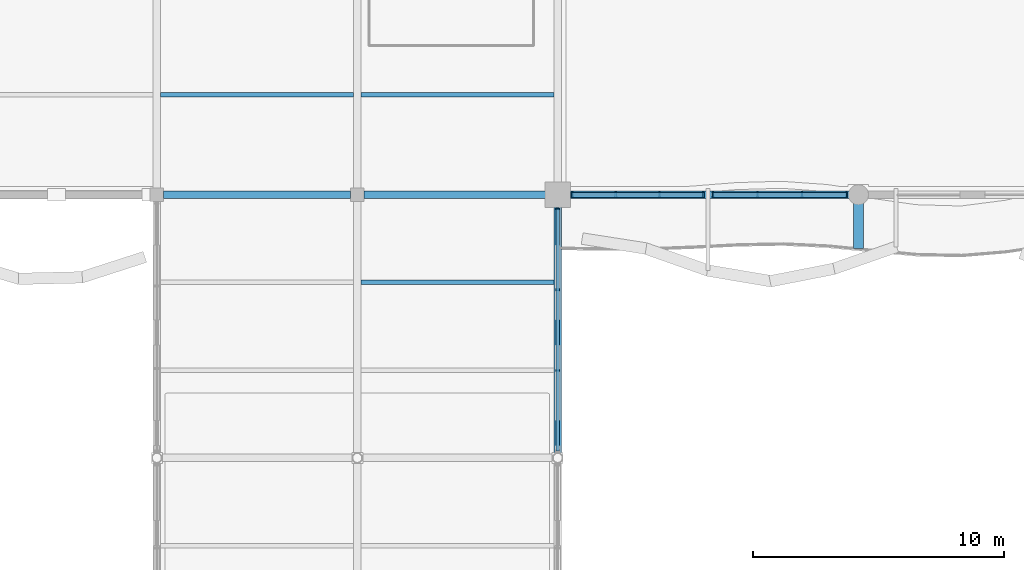
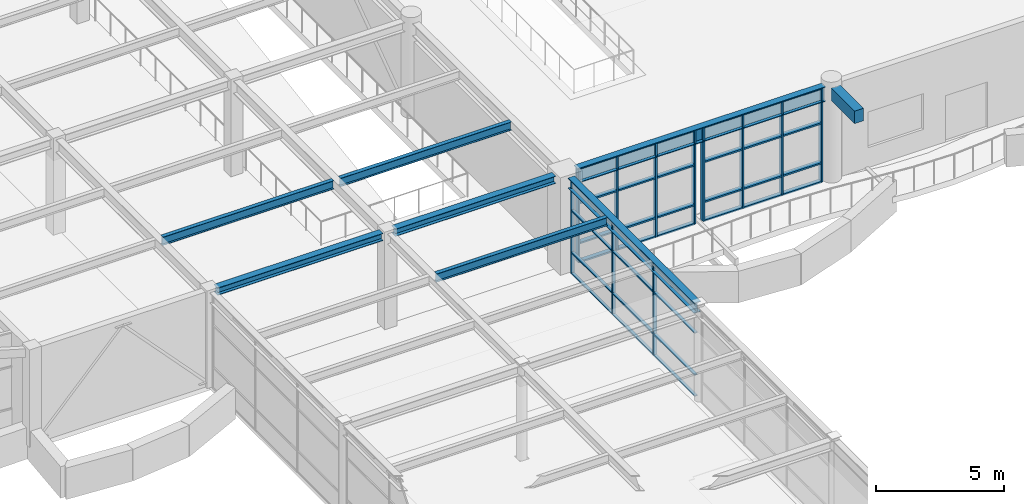
# One storey, part 14 of 72: 23 members, 8 beams, 3 elements without a shape of their own.
"""IFC4 building model written with IfcOpenShell, lengths in metres."""

from ifc_helpers import new_model, si_unit, direction, frame, origin, origin_2d, place, context, subcontext, project, spatial, rectangle, i_section, extrude, material, layer, layer_set, material_profile, profile_set, type_object, element, aggregate, save


model = new_model("IFC4")

# Units and contexts
model_context = context("Model", 3, precision=1e-05, world=origin(), true_north=direction((0.0, 1.0)))
body_context = subcontext(model_context, "Body", "Model", "MODEL_VIEW")
ifc_project = project(units=[si_unit("LENGTHUNIT", "METRE"), si_unit("AREAUNIT", "SQUARE_METRE"), si_unit("VOLUMEUNIT", "CUBIC_METRE"), si_unit("PLANEANGLEUNIT", "RADIAN"), si_unit("MASSUNIT", "GRAM", prefix="KILO")], contexts=[model_context])

# Site, building, storey
site_placement = place(None, origin())
site = spatial("IfcSite", under=ifc_project, at=site_placement, CompositionType="ELEMENT")
building_placement = place(site_placement, origin())
building = spatial("IfcBuilding", under=site, at=building_placement, Name="Keelwater Ferry Terminal", CompositionType="ELEMENT")
storey_placement = place(building_placement, frame((0.0, 0.0, 5.39990234375)))
storey = spatial("IfcBuildingStorey", under=building, at=storey_placement, Name="L01", CompositionType="ELEMENT", Elevation=5.39990234375)

# Curtain wall, members
ifc_material_1 = material(Name="Thermally broken unitised aluminium and triple glass", Category="aluminium")
ifc_layer_1 = layer(ifc_material_1, 0.179931640625)
ifc_layer_set_1 = layer_set([ifc_layer_1], Name="Thermally broken unitised aluminium and triple glass")
curtain_wall_type_1 = type_object("IfcCurtainWallType", Name="CW-01 Unitised Curtain Wall 5230x4450", PredefinedType="USERDEFINED", material=ifc_layer_set_1)
curtain_wall_1_placement = place(storey_placement, origin())
curtain_wall_1 = element("IfcCurtainWall", 1, at=curtain_wall_1_placement, inside=storey, type_object=curtain_wall_type_1, Name="Unitised Curtain Wall CW-L01-001", ObjectType="UNITISED CURTAIN WALL", PredefinedType="USERDEFINED")
ifc_material_2 = material(Name="Aluminium mullion", Category="aluminium")
ifc_material_profile_1 = material_profile(ifc_material_2, rectangle(XDim=0.074951171875, YDim=0.219970703125, at=origin_2d()), Name="CWM-02")
ifc_profile_set_1 = profile_set([ifc_material_profile_1], Name="Aluminium mullion")
member_type_1 = type_object("IfcMemberType", Name="CWM-02 Curtain Mullion 75x220", PredefinedType="MULLION", material=ifc_profile_set_1)
member_1_placement = place(storey_placement, frame((48.574951171875, 42.0, 0.0), z_axis=(0.0, 0.0, 1.0), x_axis=(1.0, 0.0, 0.0)))
member_1 = element("IfcMember", 2, at=member_1_placement, type_object=member_type_1, Name="CW-L01-001 Mullion 1", PredefinedType="MULLION", context=body_context, shape_type="SweptSolid", body=[
    extrude(rectangle(XDim=0.074951171875, YDim=0.219970703125, at=origin_2d()), origin(), (0.0, 0.0, 1.0), 4.4501953125),
])
member_2_placement = place(storey_placement, frame((50.318359375, 42.0, 0.0), z_axis=(0.0, 0.0, 1.0), x_axis=(1.0, 0.0, 0.0)))
member_2 = element("IfcMember", 3, at=member_2_placement, type_object=member_type_1, Name="CW-L01-001 Mullion 2", PredefinedType="MULLION", context=body_context, shape_type="SweptSolid", body=[
    extrude(rectangle(XDim=0.074951171875, YDim=0.219970703125, at=origin_2d()), origin(), (0.0, 0.0, 1.0), 4.4501953125),
])
member_3_placement = place(storey_placement, frame((52.061767578125, 42.0, 0.0), z_axis=(0.0, 0.0, 1.0), x_axis=(1.0, 0.0, 0.0)))
member_3 = element("IfcMember", 4, at=member_3_placement, type_object=member_type_1, Name="CW-L01-001 Mullion 3", PredefinedType="MULLION", context=body_context, shape_type="SweptSolid", body=[
    extrude(rectangle(XDim=0.074951171875, YDim=0.219970703125, at=origin_2d()), origin(), (0.0, 0.0, 1.0), 4.4501953125),
])
member_4_placement = place(storey_placement, frame((53.804931640625, 42.0, 0.0), z_axis=(0.0, 0.0, 1.0), x_axis=(1.0, 0.0, 0.0)))
member_4 = element("IfcMember", 5, at=member_4_placement, type_object=member_type_1, Name="CW-L01-001 Mullion 4", PredefinedType="MULLION", context=body_context, shape_type="SweptSolid", body=[
    extrude(rectangle(XDim=0.074951171875, YDim=0.219970703125, at=origin_2d()), origin(), (0.0, 0.0, 1.0), 4.4501953125),
])

ifc_material_3 = material(Name="Thermally broken unitised aluminium and triple glass", Category="aluminium")
ifc_layer_2 = layer(ifc_material_3, 0.179931640625)
ifc_layer_set_2 = layer_set([ifc_layer_2], Name="Thermally broken unitised aluminium and triple glass")
curtain_wall_type_2 = type_object("IfcCurtainWallType", Name="CW-02 Unitised Curtain Wall 5330x4450", PredefinedType="USERDEFINED", material=ifc_layer_set_2)
curtain_wall_2_placement = place(storey_placement, origin())
curtain_wall_2 = element("IfcCurtainWall", 6, at=curtain_wall_2_placement, inside=storey, type_object=curtain_wall_type_2, Name="Unitised Curtain Wall CW-L01-002", ObjectType="UNITISED CURTAIN WALL", PredefinedType="USERDEFINED")
member_5_placement = place(storey_placement, frame((54.195068359375, 42.0, 0.0), z_axis=(0.0, 0.0, 1.0), x_axis=(1.0, 0.0, 0.0)))
member_5 = element("IfcMember", 7, at=member_5_placement, type_object=member_type_1, Name="CW-L01-002 Mullion 1", PredefinedType="MULLION", context=body_context, shape_type="SweptSolid", body=[
    extrude(rectangle(XDim=0.074951171875, YDim=0.219970703125, at=origin_2d()), origin(), (0.0, 0.0, 1.0), 4.4501953125),
])
member_6_placement = place(storey_placement, frame((55.9716796875, 42.0, 0.0), z_axis=(0.0, 0.0, 1.0), x_axis=(1.0, 0.0, 0.0)))
member_6 = element("IfcMember", 8, at=member_6_placement, type_object=member_type_1, Name="CW-L01-002 Mullion 2", PredefinedType="MULLION", context=body_context, shape_type="SweptSolid", body=[
    extrude(rectangle(XDim=0.074951171875, YDim=0.219970703125, at=origin_2d()), origin(), (0.0, 0.0, 1.0), 4.4501953125),
])
member_7_placement = place(storey_placement, frame((57.748291015625, 42.0, 0.0), z_axis=(0.0, 0.0, 1.0), x_axis=(1.0, 0.0, 0.0)))
member_7 = element("IfcMember", 9, at=member_7_placement, type_object=member_type_1, Name="CW-L01-002 Mullion 3", PredefinedType="MULLION", context=body_context, shape_type="SweptSolid", body=[
    extrude(rectangle(XDim=0.074951171875, YDim=0.219970703125, at=origin_2d()), origin(), (0.0, 0.0, 1.0), 4.4501953125),
])
member_8_placement = place(storey_placement, frame((59.52490234375, 42.0, 0.0), z_axis=(0.0, 0.0, 1.0), x_axis=(1.0, 0.0, 0.0)))
member_8 = element("IfcMember", 10, at=member_8_placement, type_object=member_type_1, Name="CW-L01-002 Mullion 4", PredefinedType="MULLION", context=body_context, shape_type="SweptSolid", body=[
    extrude(rectangle(XDim=0.074951171875, YDim=0.219970703125, at=origin_2d()), origin(), (0.0, 0.0, 1.0), 4.4501953125),
])

ifc_material_4 = material(Name="Thermally broken unitised aluminium and triple glass", Category="aluminium")
ifc_layer_3 = layer(ifc_material_4, 0.179931640625)
ifc_layer_set_3 = layer_set([ifc_layer_3], Name="Thermally broken unitised aluminium and triple glass")
curtain_wall_type_3 = type_object("IfcCurtainWallType", Name="CW-13 Unitised Curtain Wall 9647x4400", PredefinedType="USERDEFINED", material=ifc_layer_set_3)
curtain_wall_3_placement = place(storey_placement, origin())
curtain_wall_3 = element("IfcCurtainWall", 11, at=curtain_wall_3_placement, inside=storey, type_object=curtain_wall_type_3, Name="Unitised Curtain Wall CW-L01-058", ObjectType="UNITISED CURTAIN WALL", PredefinedType="USERDEFINED")
ifc_material_5 = material(Name="Aluminium mullion", Category="aluminium")
ifc_material_profile_2 = material_profile(ifc_material_5, rectangle(XDim=0.06005859375, YDim=0.14990234375, at=origin_2d()), Name="CWM-03")
ifc_profile_set_2 = profile_set([ifc_material_profile_2], Name="Aluminium mullion")
member_type_2 = type_object("IfcMemberType", Name="CWM-03 Curtain Mullion 60x150", PredefinedType="MULLION", material=ifc_profile_set_2)
member_9_placement = place(storey_placement, frame((48.0, 34.99365234375, 0.0), z_axis=(0.0, 0.0, 1.0), x_axis=(0.0, 1.0, 0.0)))
member_9 = element("IfcMember", 12, at=member_9_placement, type_object=member_type_2, Name="CW-L01-058 Mullion 2", PredefinedType="MULLION", context=body_context, shape_type="SweptSolid", body=[
    extrude(rectangle(XDim=0.06005859375, YDim=0.14990234375, at=origin_2d()), origin(), (0.0, 0.0, 1.0), 4.400146484375),
])
member_10_placement = place(storey_placement, frame((48.0, 38.209228515625, 0.0), z_axis=(0.0, 0.0, 1.0), x_axis=(0.0, 1.0, 0.0)))
member_10 = element("IfcMember", 13, at=member_10_placement, type_object=member_type_2, Name="CW-L01-058 Mullion 3", PredefinedType="MULLION", context=body_context, shape_type="SweptSolid", body=[
    extrude(rectangle(XDim=0.06005859375, YDim=0.14990234375, at=origin_2d()), origin(), (0.0, 0.0, 1.0), 4.400146484375),
])
member_11_placement = place(storey_placement, frame((48.0, 41.425048828125, 0.0), z_axis=(0.0, 0.0, 1.0), x_axis=(0.0, 1.0, 0.0)))
member_11 = element("IfcMember", 14, at=member_11_placement, type_object=member_type_2, Name="CW-L01-058 Mullion 4", PredefinedType="MULLION", context=body_context, shape_type="SweptSolid", body=[
    extrude(rectangle(XDim=0.06005859375, YDim=0.14990234375, at=origin_2d()), origin(), (0.0, 0.0, 1.0), 4.400146484375),
])

# Member
ifc_material_6 = material(Name="Aluminium mullion", Category="aluminium")
ifc_material_profile_3 = material_profile(ifc_material_6, rectangle(XDim=0.199951171875, YDim=0.074951171875, at=origin_2d()), Name="CWT-02")
ifc_profile_set_3 = profile_set([ifc_material_profile_3], Name="Aluminium mullion")
member_type_3 = type_object("IfcMemberType", Name="CWT-02 Curtain Transom 75x200", PredefinedType="USERDEFINED", material=ifc_profile_set_3)
member_12_placement = place(storey_placement, frame((48.574951171875, 42.0, 0.0), z_axis=(1.0, 0.0, 0.0), x_axis=(0.0, 1.0, 0.0)))
member_12 = element("IfcMember", 15, at=member_12_placement, type_object=member_type_3, Name="CW-L01-001 Transom 1", ObjectType="TRANSOM", PredefinedType="USERDEFINED", context=body_context, shape_type="SweptSolid", body=[
    extrude(rectangle(XDim=0.199951171875, YDim=0.074951171875, at=origin_2d()), origin(), (0.0, 0.0, 1.0), 5.22998046875),
])

member_13_placement = place(storey_placement, frame((48.574951171875, 42.0, 0.900146484375), z_axis=(1.0, 0.0, 0.0), x_axis=(0.0, 1.0, 0.0)))
member_13 = element("IfcMember", 16, at=member_13_placement, type_object=member_type_3, Name="CW-L01-001 Transom 2", ObjectType="TRANSOM", PredefinedType="USERDEFINED", context=body_context, shape_type="SweptSolid", body=[
    extrude(rectangle(XDim=0.199951171875, YDim=0.074951171875, at=origin_2d()), origin(), (0.0, 0.0, 1.0), 5.22998046875),
])

member_14_placement = place(storey_placement, frame((48.574951171875, 42.0, 2.800048828125), z_axis=(1.0, 0.0, 0.0), x_axis=(0.0, 1.0, 0.0)))
member_14 = element("IfcMember", 17, at=member_14_placement, type_object=member_type_3, Name="CW-L01-001 Transom 3", ObjectType="TRANSOM", PredefinedType="USERDEFINED", context=body_context, shape_type="SweptSolid", body=[
    extrude(rectangle(XDim=0.199951171875, YDim=0.074951171875, at=origin_2d()), origin(), (0.0, 0.0, 1.0), 5.22998046875),
])

member_15_placement = place(storey_placement, frame((48.574951171875, 42.0, 4.4501953125), z_axis=(1.0, 0.0, 0.0), x_axis=(0.0, 1.0, 0.0)))
member_15 = element("IfcMember", 18, at=member_15_placement, type_object=member_type_3, Name="CW-L01-001 Transom 4", ObjectType="TRANSOM", PredefinedType="USERDEFINED", context=body_context, shape_type="SweptSolid", body=[
    extrude(rectangle(XDim=0.199951171875, YDim=0.074951171875, at=origin_2d()), origin(), (0.0, 0.0, 1.0), 5.22998046875),
])

aggregate(curtain_wall_1, [member_1, member_2, member_3, member_4, member_12, member_13, member_14, member_15])

member_16_placement = place(storey_placement, frame((54.195068359375, 42.0, 0.0), z_axis=(1.0, 0.0, 0.0), x_axis=(0.0, 1.0, 0.0)))
member_16 = element("IfcMember", 19, at=member_16_placement, type_object=member_type_3, Name="CW-L01-002 Transom 1", ObjectType="TRANSOM", PredefinedType="USERDEFINED", context=body_context, shape_type="SweptSolid", body=[
    extrude(rectangle(XDim=0.199951171875, YDim=0.074951171875, at=origin_2d()), origin(), (0.0, 0.0, 1.0), 5.329833984375),
])

member_17_placement = place(storey_placement, frame((54.195068359375, 42.0, 0.900146484375), z_axis=(1.0, 0.0, 0.0), x_axis=(0.0, 1.0, 0.0)))
member_17 = element("IfcMember", 20, at=member_17_placement, type_object=member_type_3, Name="CW-L01-002 Transom 2", ObjectType="TRANSOM", PredefinedType="USERDEFINED", context=body_context, shape_type="SweptSolid", body=[
    extrude(rectangle(XDim=0.199951171875, YDim=0.074951171875, at=origin_2d()), origin(), (0.0, 0.0, 1.0), 5.329833984375),
])

member_18_placement = place(storey_placement, frame((54.195068359375, 42.0, 2.800048828125), z_axis=(1.0, 0.0, 0.0), x_axis=(0.0, 1.0, 0.0)))
member_18 = element("IfcMember", 21, at=member_18_placement, type_object=member_type_3, Name="CW-L01-002 Transom 3", ObjectType="TRANSOM", PredefinedType="USERDEFINED", context=body_context, shape_type="SweptSolid", body=[
    extrude(rectangle(XDim=0.199951171875, YDim=0.074951171875, at=origin_2d()), origin(), (0.0, 0.0, 1.0), 5.329833984375),
])

member_19_placement = place(storey_placement, frame((54.195068359375, 42.0, 4.4501953125), z_axis=(1.0, 0.0, 0.0), x_axis=(0.0, 1.0, 0.0)))
member_19 = element("IfcMember", 22, at=member_19_placement, type_object=member_type_3, Name="CW-L01-002 Transom 4", ObjectType="TRANSOM", PredefinedType="USERDEFINED", context=body_context, shape_type="SweptSolid", body=[
    extrude(rectangle(XDim=0.199951171875, YDim=0.074951171875, at=origin_2d()), origin(), (0.0, 0.0, 1.0), 5.329833984375),
])

aggregate(curtain_wall_2, [member_5, member_6, member_7, member_8, member_16, member_17, member_18, member_19])

ifc_material_7 = material(Name="Aluminium mullion", Category="aluminium")
ifc_material_profile_4 = material_profile(ifc_material_7, rectangle(XDim=0.135009765625, YDim=0.06005859375, at=origin_2d()), Name="CWT-03")
ifc_profile_set_4 = profile_set([ifc_material_profile_4], Name="Aluminium mullion")
member_type_4 = type_object("IfcMemberType", Name="CWT-03 Curtain Transom 60x135", PredefinedType="USERDEFINED", material=ifc_profile_set_4)
member_20_placement = place(storey_placement, frame((48.0, 31.778076171875, 0.0), z_axis=(0.0, 1.0, 0.0), x_axis=(-1.0, 0.0, 0.0)))
member_20 = element("IfcMember", 23, at=member_20_placement, type_object=member_type_4, Name="CW-L01-058 Transom 1", ObjectType="TRANSOM", PredefinedType="USERDEFINED", context=body_context, shape_type="SweptSolid", body=[
    extrude(rectangle(XDim=0.135009765625, YDim=0.06005859375, at=origin_2d()), origin(), (0.0, 0.0, 1.0), 9.64697265625),
])

member_21_placement = place(storey_placement, frame((48.0, 31.778076171875, 1.0), z_axis=(0.0, 1.0, 0.0), x_axis=(-1.0, 0.0, 0.0)))
member_21 = element("IfcMember", 24, at=member_21_placement, type_object=member_type_4, Name="CW-L01-058 Transom 2", ObjectType="TRANSOM", PredefinedType="USERDEFINED", context=body_context, shape_type="SweptSolid", body=[
    extrude(rectangle(XDim=0.135009765625, YDim=0.06005859375, at=origin_2d()), origin(), (0.0, 0.0, 1.0), 9.64697265625),
])

member_22_placement = place(storey_placement, frame((48.0, 31.778076171875, 3.0), z_axis=(0.0, 1.0, 0.0), x_axis=(-1.0, 0.0, 0.0)))
member_22 = element("IfcMember", 25, at=member_22_placement, type_object=member_type_4, Name="CW-L01-058 Transom 3", ObjectType="TRANSOM", PredefinedType="USERDEFINED", context=body_context, shape_type="SweptSolid", body=[
    extrude(rectangle(XDim=0.135009765625, YDim=0.06005859375, at=origin_2d()), origin(), (0.0, 0.0, 1.0), 9.64697265625),
])

member_23_placement = place(storey_placement, frame((48.0, 31.778076171875, 4.400146484375), z_axis=(0.0, 1.0, 0.0), x_axis=(-1.0, 0.0, 0.0)))
member_23 = element("IfcMember", 26, at=member_23_placement, type_object=member_type_4, Name="CW-L01-058 Transom 4", ObjectType="TRANSOM", PredefinedType="USERDEFINED", context=body_context, shape_type="SweptSolid", body=[
    extrude(rectangle(XDim=0.135009765625, YDim=0.06005859375, at=origin_2d()), origin(), (0.0, 0.0, 1.0), 9.64697265625),
])

aggregate(curtain_wall_3, [member_9, member_10, member_11, member_20, member_21, member_22, member_23])

# Beams
ifc_material_8 = material(Name="Concrete C45/55", Category="concrete")
ifc_material_profile_5 = material_profile(ifc_material_8, rectangle(XDim=0.39990234375, YDim=0.60009765625, at=origin_2d()), Name="RC 400x600")
ifc_profile_set_5 = profile_set([ifc_material_profile_5], Name="Concrete C45/55")
beam_type_1 = type_object("IfcBeamType", Name="G11E RC 400x600", PredefinedType="BEAM", material=ifc_profile_set_5)
beam_1_placement = place(storey_placement, frame((60.0, 41.672119140625, 4.22021484375), z_axis=(0.0, -1.0, 0.0), x_axis=(1.0, 0.0, 0.0)))
element("IfcBeam", 27, at=beam_1_placement, inside=storey, type_object=beam_type_1, Name="Beam BM-L01-0956", PredefinedType="BEAM", context=body_context, shape_type="SweptSolid", body=[
    extrude(rectangle(XDim=0.39990234375, YDim=0.60009765625, at=origin_2d()), origin(), (0.0, 0.0, 1.0), 1.822021484375),
])
ifc_material_9 = material(Name="Steel S355", Category="steel")
ifc_material_profile_6 = material_profile(ifc_material_9, i_section(OverallWidth=0.300048828125, OverallDepth=0.699951171875, WebThickness=0.01708984375, FlangeThickness=0.031982421875, at=origin_2d()), Name="HEB 700")
ifc_profile_set_6 = profile_set([ifc_material_profile_6], Name="Steel S355")
beam_type_2 = type_object("IfcBeamType", Name="G2E HEB 700", PredefinedType="BEAM", material=ifc_profile_set_6)
beam_2_placement = place(storey_placement, frame((48.489990234375, 42.0, 4.170166015625), z_axis=(1.0, 0.0, 0.0), x_axis=(0.0, 1.0, 0.0)))
element("IfcBeam", 28, at=beam_2_placement, inside=storey, type_object=beam_type_2, Name="Beam BM-L01-0624", PredefinedType="BEAM", context=body_context, shape_type="SweptSolid", body=[
    extrude(i_section(OverallWidth=0.300048828125, OverallDepth=0.699951171875, WebThickness=0.01708984375, FlangeThickness=0.031982421875, at=origin_2d()), origin(), (0.0, 0.0, 1.0), 11.18212890625),
])
ifc_material_10 = material(Name="Steel S355", Category="steel")
ifc_material_profile_7 = material_profile(ifc_material_10, i_section(OverallWidth=0.300048828125, OverallDepth=0.5, WebThickness=0.014404296875, FlangeThickness=0.028076171875, at=origin_2d()), Name="HEB 500")
ifc_profile_set_7 = profile_set([ifc_material_profile_7], Name="Steel S355")
beam_type_3 = type_object("IfcBeamType", Name="G5E HEB 500", PredefinedType="BEAM", material=ifc_profile_set_7)
beam_3_placement = place(storey_placement, frame((48.0, 31.6669921875, 4.27001953125), z_axis=(0.0, 1.0, 0.0), x_axis=(-1.0, 0.0, 0.0)))
element("IfcBeam", 29, at=beam_3_placement, inside=storey, type_object=beam_type_3, Name="Beam BM-L01-0738", PredefinedType="BEAM", context=body_context, shape_type="SweptSolid", body=[
    extrude(i_section(OverallWidth=0.300048828125, OverallDepth=0.5, WebThickness=0.014404296875, FlangeThickness=0.028076171875, at=origin_2d()), origin(), (0.0, 0.0, 1.0), 9.843017578125),
])
ifc_material_11 = material(Name="Steel S355", Category="steel")
ifc_material_profile_8 = material_profile(ifc_material_11, i_section(OverallWidth=0.179931640625, OverallDepth=0.39990234375, WebThickness=0.008544921875, FlangeThickness=0.013427734375, at=origin_2d()), Name="IPE 400")
ifc_profile_set_8 = profile_set([ifc_material_profile_8], Name="Steel S355")
beam_type_4 = type_object("IfcBeamType", Name="J5 IPE 400", PredefinedType="JOIST", material=ifc_profile_set_8)
for number, where, z_axis, x_axis, name in (
    (30, (32.14990234375, 46.0, 4.320068359375), (1.0, 0.0, 0.0), (0.0, 1.0, 0.0), "Beam BM-L01-0833"),
    (31, (40.14990234375, 38.5, 4.320068359375), (1.0, 0.0, 0.0), (0.0, 1.0, 0.0), "Beam BM-L01-0844"),
    (32, (40.14990234375, 46.0, 4.320068359375), (1.0, 0.0, 0.0), (0.0, 1.0, 0.0), "Beam BM-L01-0845"),
):
    element("IfcBeam", number, at=place(storey_placement, frame(where, z_axis=z_axis, x_axis=x_axis)), inside=storey, type_object=beam_type_4, Name=name, PredefinedType="JOIST", context=body_context, shape_type="SweptSolid", body=[
        extrude(i_section(OverallWidth=0.179931640625, OverallDepth=0.39990234375, WebThickness=0.008544921875, FlangeThickness=0.013427734375, at=origin_2d()), origin(), (0.0, 0.0, 1.0), 7.7001953125),
    ])
ifc_material_12 = material(Name="Steel S355", Category="steel")
ifc_material_profile_9 = material_profile(ifc_material_12, i_section(OverallWidth=0.300048828125, OverallDepth=0.35009765625, WebThickness=0.010009765625, FlangeThickness=0.017578125, at=origin_2d()), Name="HEA 360")
ifc_profile_set_9 = profile_set([ifc_material_profile_9], Name="Steel S355")
beam_type_5 = type_object("IfcBeamType", Name="SP1E HEA 360", PredefinedType="SPANDREL", material=ifc_profile_set_9)
beam_4_placement = place(storey_placement, frame((32.27001953125, 42.0, 4.34521484375), z_axis=(1.0, 0.0, 0.0), x_axis=(0.0, 1.0, 0.0)))
element("IfcBeam", 33, at=beam_4_placement, inside=storey, type_object=beam_type_5, Name="Beam BM-L01-0622", PredefinedType="SPANDREL", context=body_context, shape_type="SweptSolid", body=[
    extrude(i_section(OverallWidth=0.300048828125, OverallDepth=0.35009765625, WebThickness=0.010009765625, FlangeThickness=0.017578125, at=origin_2d()), origin(), (0.0, 0.0, 1.0), 7.4599609375),
])
beam_5_placement = place(storey_placement, frame((40.27001953125, 42.0, 4.34521484375), z_axis=(1.0, 0.0, 0.0), x_axis=(0.0, 1.0, 0.0)))
element("IfcBeam", 34, at=beam_5_placement, inside=storey, type_object=beam_type_5, Name="Beam BM-L01-0623", PredefinedType="SPANDREL", context=body_context, shape_type="SweptSolid", body=[
    extrude(i_section(OverallWidth=0.300048828125, OverallDepth=0.35009765625, WebThickness=0.010009765625, FlangeThickness=0.017578125, at=origin_2d()), origin(), (0.0, 0.0, 1.0), 7.239990234375),
])

save(model, "model.ifc")
